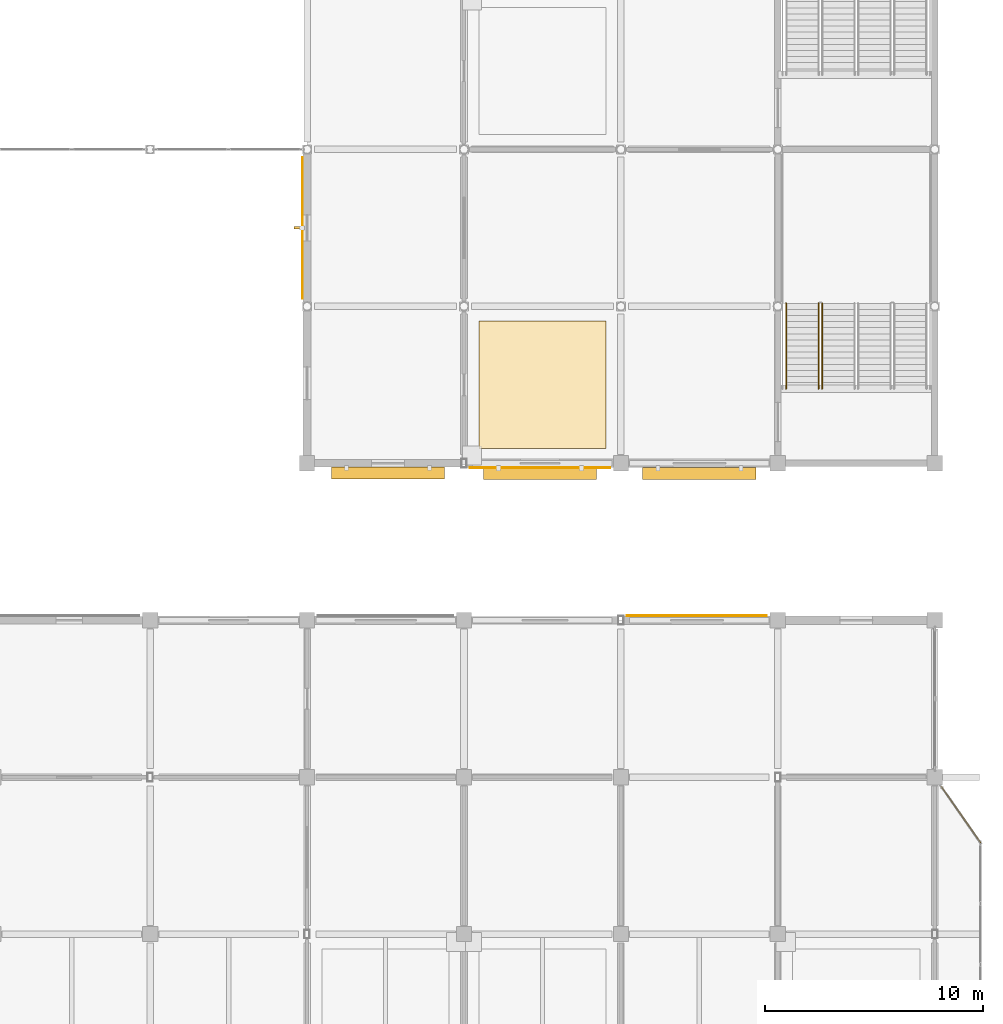
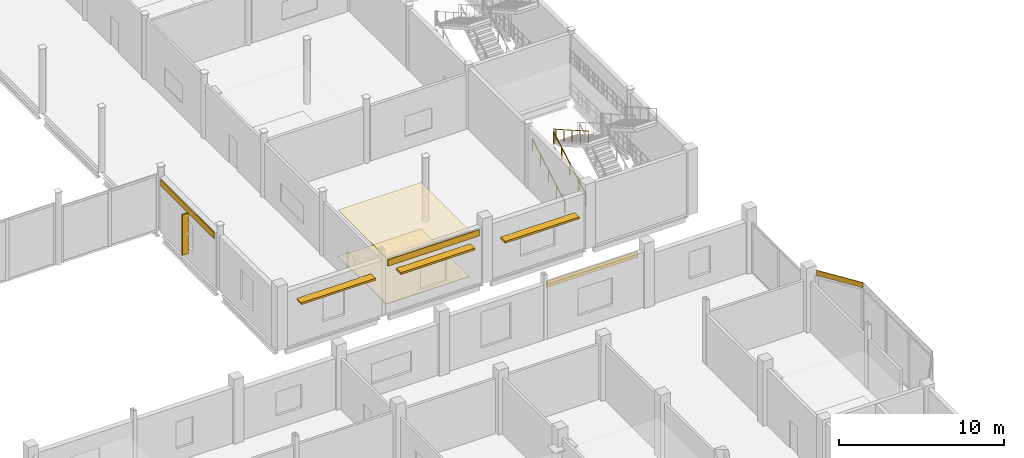
# One storey, part 117 of 120: 6 coverings, 4 shading devices, 3 railings.
"""IFC4 building model written with IfcOpenShell, lengths in metres."""

import ifcopenshell
import ifcopenshell.guid

model = None  # the IFC model being written
_history = None  # IfcOwnerHistory: only IFC2X3 demands one
_inside = {}  # id of a spatial element -> (the spatial element, [elements in it])
_under = {}  # id of a project, library or spatial element -> (it, [spatial elements below it])
_declared = {}  # id of a project -> (the project, [libraries it declares])
_typed = {}  # id of a type object -> (the type object, [elements of that type])
_made_of = {}  # id of a material, layer set ... -> (it, [elements and type objects made of it])


def new_model(schema):
    """Start an empty IFC model of exactly this schema.

    Asked for "IFC4X3", IfcOpenShell would pick the latest addendum, in which some entities
    have other attributes; the version numbers below select the first issue.
    IFC2X3 requires an IfcOwnerHistory on every rooted entity: one is made here for all.
    """
    global model, _history
    if schema == "IFC4X3":
        model = ifcopenshell.file(schema_version=(4, 3, 0, 0))
    else:
        model = ifcopenshell.file(schema=schema)
    _inside.clear()
    _under.clear()
    _declared.clear()
    _typed.clear()
    _made_of.clear()
    _history = None
    if model.schema == "IFC2X3":
        org = make("IfcOrganization", Name="unknown")
        user = make(
            "IfcPersonAndOrganization",
            ThePerson=make("IfcPerson", FamilyName="unknown"),
            TheOrganization=org,
        )
        app = make(
            "IfcApplication",
            ApplicationDeveloper=org,
            Version="unknown",
            ApplicationFullName="unknown",
            ApplicationIdentifier="unknown",
        )
        _history = make(
            "IfcOwnerHistory",
            OwningUser=user,
            OwningApplication=app,
            ChangeAction="ADDED",
            CreationDate=0,
        )
    return model


def make(cls, **values):
    """One entity of the class cls with the attributes given. An attribute that is None is left unset."""
    return model.create_entity(
        cls, **{name: value for name, value in values.items() if value is not None}
    )


def rooted(cls, **values):
    """An entity with a GlobalId (a new one), such as an element, a storey or a relation."""
    return make(cls, GlobalId=ifcopenshell.guid.new(), OwnerHistory=_history, **values)


def si_unit(unit_type, name, prefix=None):
    """IfcSIUnit, for example si_unit("LENGTHUNIT", "METRE", prefix="MILLI")."""
    return make("IfcSIUnit", UnitType=unit_type, Prefix=prefix, Name=name)


def assignment(units):
    """IfcUnitAssignment: the units of a project."""
    return None if units is None else make("IfcUnitAssignment", Units=units)


def point(xyz):
    """IfcCartesianPoint."""
    return None if xyz is None else make("IfcCartesianPoint", Coordinates=xyz)


def direction(xyz):
    """IfcDirection."""
    return None if xyz is None else make("IfcDirection", DirectionRatios=xyz)


def frame(location, z_axis=None, x_axis=None):
    """IfcAxis2Placement3D, a coordinate frame: its origin and axes. An axis left out is left unset."""
    return make(
        "IfcAxis2Placement3D",
        Location=point(location),
        Axis=direction(z_axis),
        RefDirection=direction(x_axis),
    )


def frame_2d(location, x_axis=None):
    """IfcAxis2Placement2D, a coordinate frame in the plane: its origin and x axis."""
    return make(
        "IfcAxis2Placement2D", Location=point(location), RefDirection=direction(x_axis)
    )


def origin():
    """The frame at (0, 0, 0) with its axes left unset."""
    return frame((0.0, 0.0, 0.0))


def origin_2d():
    """The frame at (0, 0) in the plane with its x axis left unset."""
    return frame_2d((0.0, 0.0))


def place(relative_to, where):
    """IfcLocalPlacement: puts the frame where relative to a parent placement (None: the world)."""
    return make(
        "IfcLocalPlacement", PlacementRelTo=relative_to, RelativePlacement=where
    )


def context(
    kind, dimensions, precision=None, world=None, true_north=None, identifier=None
):
    """IfcGeometricRepresentationContext, for example the 3D "Model" context."""
    return make(
        "IfcGeometricRepresentationContext",
        ContextIdentifier=identifier,
        ContextType=kind,
        CoordinateSpaceDimension=dimensions,
        Precision=precision,
        WorldCoordinateSystem=world,
        TrueNorth=true_north,
    )


def subcontext(parent, identifier, kind, view, scale=None):
    """IfcGeometricRepresentationSubContext, for example "Body" below "Model"."""
    return make(
        "IfcGeometricRepresentationSubContext",
        ContextIdentifier=identifier,
        ContextType=kind,
        ParentContext=parent,
        TargetScale=scale,
        TargetView=view,
    )


def project(units=None, contexts=None):
    """IfcProject with its units and contexts."""
    return rooted(
        "IfcProject",
        Name="project",
        RepresentationContexts=contexts,
        UnitsInContext=assignment(units),
    )


def spatial(cls, under=None, at=None, **own):
    """A site, building, storey or space (cls), placed at a placement, below another one or the project."""
    s = rooted(cls, ObjectPlacement=at, **own)
    if under is not None:
        _under.setdefault(under.id(), (under, []))[1].append(s)
    return s


def polyline(points):
    """IfcPolyline through the points."""
    return make("IfcPolyline", Points=[point(p) for p in points])


def profile(cls, at=None, kind="AREA", **sizes):
    """A parametric profile (cls). Its sizes go by their IFC names, for example OverallWidth=200.0."""
    return make(cls, ProfileType=kind, Position=at, **sizes)


def rectangle(**sizes):
    """IfcRectangleProfileDef."""
    return profile("IfcRectangleProfileDef", **sizes)


def circle(**sizes):
    """IfcCircleProfileDef."""
    return profile("IfcCircleProfileDef", **sizes)


def outline(outer, holes=None, kind="AREA"):
    """IfcArbitraryClosedProfileDef: a profile drawn as a closed curve; with holes, ...WithVoids."""
    if holes is None:
        return make("IfcArbitraryClosedProfileDef", ProfileType=kind, OuterCurve=outer)
    return make(
        "IfcArbitraryProfileDefWithVoids",
        ProfileType=kind,
        OuterCurve=outer,
        InnerCurves=holes,
    )


def extrude(swept, where, along, depth):
    """IfcExtrudedAreaSolid: the profile swept, set in the frame where, extruded along a direction by depth."""
    return make(
        "IfcExtrudedAreaSolid",
        SweptArea=swept,
        Position=where,
        ExtrudedDirection=direction(along),
        Depth=depth,
    )


def shape(context_of_items, identifier, shape_type, items):
    """IfcShapeRepresentation: the items that make up one representation, for example the "Body"."""
    return make(
        "IfcShapeRepresentation",
        ContextOfItems=context_of_items,
        RepresentationIdentifier=identifier,
        RepresentationType=shape_type,
        Items=items,
    )


def material(Name=None, Category=None):
    """IfcMaterial."""
    return make("IfcMaterial", Name=Name, Category=Category)


def layer(
    of_material, thickness, ventilated=None, Name=None, Category=None, Priority=None
):
    """IfcMaterialLayer: one layer of a wall or slab, of a material (None: an air gap)."""
    return make(
        "IfcMaterialLayer",
        Material=of_material,
        LayerThickness=thickness,
        IsVentilated=ventilated,
        Name=Name,
        Category=Category,
        Priority=Priority,
    )


def layer_set(layers, Name=None):
    """IfcMaterialLayerSet."""
    return make("IfcMaterialLayerSet", MaterialLayers=layers, LayerSetName=Name)


def made_of(thing, what):
    """Note that an element or type object is made of a material, layer set ...; save() writes the relation."""
    if what is not None:
        _made_of.setdefault(what.id(), (what, []))[1].append(thing)
    return thing


def type_object(cls, material=None, **own):
    """A type object (cls), such as IfcWallType, which elements share."""
    return made_of(rooted(cls, **own), material)


def element(
    cls,
    number,
    at=None,
    inside=None,
    cuts=None,
    type_object=None,
    material=None,
    context=None,
    identifier="Body",
    shape_type=None,
    held_by="IfcProductDefinitionShape",
    body=None,
    shapes=None,
    **own,
):
    """One element of the class cls, such as IfcWall. Its Tag is "e" and its number.

    at: its placement. inside: the storey or other place that contains it. cuts: it is an
    opening in that element (IfcRelVoidsElement). A single representation is given by context,
    identifier, shape_type and body (its items); several are given by shapes. held_by: the class
    of the entity that holds the representations. save() writes the other relations.
    """
    e = rooted(cls, Tag="e%d" % number, ObjectPlacement=at, **own)
    if body is not None:
        shapes = [shape(context, identifier, shape_type, body)]
    if shapes is not None:
        e.Representation = make(held_by, Representations=shapes)
    if inside is not None:
        _inside.setdefault(inside.id(), (inside, []))[1].append(e)
    if cuts is not None:
        rooted(
            "IfcRelVoidsElement", RelatingBuildingElement=cuts, RelatedOpeningElement=e
        )
    if type_object is not None:
        _typed.setdefault(type_object.id(), (type_object, []))[1].append(e)
    return made_of(e, material)


def aggregate(whole, parts):
    """IfcRelAggregates: a whole, such as a stair, and the parts it consists of."""
    return rooted("IfcRelAggregates", RelatingObject=whole, RelatedObjects=parts)


def save(model, path):
    """Write the relations noted so far, then the file.

    IfcRelAggregates (storeys below a building ...), IfcRelContainedInSpatialStructure (elements
    in a storey), IfcRelDefinesByType, IfcRelAssociatesMaterial and IfcRelDeclares: one each for
    every whole, place, type object, material and project.
    """
    for whole, parts in _under.values():
        aggregate(whole, parts)
    for where, things in _inside.values():
        rooted(
            "IfcRelContainedInSpatialStructure",
            RelatedElements=things,
            RelatingStructure=where,
        )
    for kind, things in _typed.values():
        rooted("IfcRelDefinesByType", RelatedObjects=things, RelatingType=kind)
    for what, things in _made_of.values():
        rooted("IfcRelAssociatesMaterial", RelatedObjects=things, RelatingMaterial=what)
    for by, libraries in _declared.values():
        rooted("IfcRelDeclares", RelatingContext=by, RelatedDefinitions=libraries)
    model.write(path)


model = new_model("IFC4")

# Units and contexts
model_context = context("Model", 3, precision=1e-05, world=origin(), true_north=direction((0.0, 1.0)))
body_context = subcontext(model_context, "Body", "Model", "MODEL_VIEW")
ifc_project = project(units=[si_unit("LENGTHUNIT", "METRE"), si_unit("AREAUNIT", "SQUARE_METRE"), si_unit("VOLUMEUNIT", "CUBIC_METRE"), si_unit("PLANEANGLEUNIT", "RADIAN"), si_unit("MASSUNIT", "GRAM", prefix="KILO")], contexts=[model_context])

# Site, building, storey
site_placement = place(None, origin())
site = spatial("IfcSite", under=ifc_project, at=site_placement, CompositionType="ELEMENT")
building_placement = place(site_placement, origin())
building = spatial("IfcBuilding", under=site, at=building_placement, Name="Vesperath Aquatics Centre", CompositionType="ELEMENT")
storey_placement = place(building_placement, frame((0.0, 0.0, 10.199951171875)))
storey = spatial("IfcBuildingStorey", under=building, at=storey_placement, Name="L02", CompositionType="ELEMENT", Elevation=10.199951171875)

# Coverings
ifc_material_1 = material(Name="Teal and ochre glazed ceramic majolica frieze", Category="ceramic")
ifc_layer_1 = layer(ifc_material_1, 0.0400390625)
ifc_layer_set_1 = layer_set([ifc_layer_1], Name="Teal and ochre glazed ceramic majolica frieze")
covering_type_1 = type_object("IfcCoveringType", Name="CV-CLD01", PredefinedType="CLADDING", material=ifc_layer_set_1)
covering_1_placement = place(storey_placement, frame((158.675048828125, 43.409912109375, 3.52197265625), z_axis=(0.0, 0.0, 1.0), x_axis=(1.0, 0.0, 0.0)))
element("IfcCovering", 1, at=covering_1_placement, inside=storey, type_object=covering_type_1, Name="Majolica Ceramic Frieze CLD1 L02_N_22_06", PredefinedType="CLADDING", context=body_context, shape_type="SweptSolid", body=[
    extrude(rectangle(XDim=6.425048828125, YDim=0.0400390625, at=frame_2d((3.21240234375, 0.0))), origin(), (0.0, 0.0, 1.0), 0.469970703125),
])
covering_2_placement = place(storey_placement, frame((151.47509765625, 50.18994140625, 3.52197265625), z_axis=(0.0, 0.0, 1.0), x_axis=(1.0, 0.0, 0.0)))
element("IfcCovering", 2, at=covering_2_placement, inside=storey, type_object=covering_type_1, Name="Majolica Ceramic Frieze CLD1 L02_S_21_07", PredefinedType="CLADDING", context=body_context, shape_type="SweptSolid", body=[
    extrude(rectangle(XDim=6.4248046875, YDim=0.0400390625, at=frame_2d((3.21240234375, 0.0))), origin(), (0.0, 0.0, 1.0), 0.469970703125),
])
covering_3_placement = place(storey_placement, frame((143.7900390625, 57.953125, 3.52197265625), z_axis=(0.0, 0.0, 1.0), x_axis=(0.0, 1.0, 0.0)))
element("IfcCovering", 3, at=covering_3_placement, inside=storey, type_object=covering_type_1, Name="Majolica Ceramic Frieze CLD1 L02_W_20_08", PredefinedType="CLADDING", context=body_context, shape_type="SweptSolid", body=[
    extrude(rectangle(XDim=6.49365234375, YDim=0.0400390625, at=frame_2d((3.246826171875, 0.0))), origin(), (0.0, 0.0, 1.0), 0.469970703125),
])
covering_4_placement = place(storey_placement, frame((174.89990234375, 33.0, 4.14013671875), z_axis=(0.0, 0.0, 1.0), x_axis=(-0.57341533497, 0.819264825085, 0.0)))
element("IfcCovering", 4, at=covering_4_placement, inside=storey, type_object=covering_type_1, Name="East Bow Oriel Majolica Frieze CLD1 L02-N", PredefinedType="CLADDING", context=body_context, shape_type="SweptSolid", body=[
    extrude(rectangle(XDim=3.136962890625, YDim=0.050048828125, at=frame_2d((1.568359375, 0.0))), origin(), (0.0, 0.0, 1.0), 0.3798828125),
])
ifc_material_2 = material(Name="Perforated moisture-resistant acoustic mineral-fibre ceiling", Category="gypsum")
ifc_layer_2 = layer(ifc_material_2, 0.044921875)
ifc_layer_set_2 = layer_set([ifc_layer_2], Name="Perforated moisture-resistant acoustic mineral-fibre ceiling")
covering_type_2 = type_object("IfcCoveringType", Name="CV-CLG01", PredefinedType="CEILING", material=ifc_layer_set_2)
covering_5_placement = place(storey_placement, frame((0.0, 0.0, 3.425048828125)))
element("IfcCovering", 5, at=covering_5_placement, inside=storey, type_object=covering_type_2, Name="Acoustic Suspended Ceiling CLG1 L02_CLUB_1", PredefinedType="CEILING", context=body_context, shape_type="SweptSolid", body=[
    extrude(outline(polyline([(151.8798828125, 51.080078125), (157.719970703125, 51.080078125), (157.719970703125, 56.919921875), (151.8798828125, 56.919921875), (151.8798828125, 51.080078125)])), origin(), (0.0, 0.0, 1.0), 0.044921875),
])
ifc_material_3 = material(Name="Slip-resistant vitrified ceramic and terrazzo flooring", Category="ceramic")
ifc_layer_3 = layer(ifc_material_3, 0.030029296875)
ifc_layer_set_3 = layer_set([ifc_layer_3], Name="Slip-resistant vitrified ceramic and terrazzo flooring")
covering_type_3 = type_object("IfcCoveringType", Name="CV-FLR01", PredefinedType="FLOORING", material=ifc_layer_set_3)
covering_6_placement = place(storey_placement, origin())
element("IfcCovering", 6, at=covering_6_placement, inside=storey, type_object=covering_type_3, Name="Slip-Resistant Floor Finish FLR1 L02_CLUB_1", PredefinedType="FLOORING", context=body_context, shape_type="SweptSolid", body=[
    extrude(outline(polyline([(151.8798828125, 51.080078125), (157.719970703125, 51.080078125), (157.719970703125, 56.919921875), (151.8798828125, 56.919921875), (151.8798828125, 51.080078125)])), origin(), (0.0, 0.0, 1.0), 0.030029296875),
])

# Railings
ifc_material_4 = material(Name="Brushed stainless steel tubular handrail", Category="steel")
railing_type = type_object("IfcRailingType", Name="RL-HND01", PredefinedType="HANDRAIL", material=ifc_material_4)
railing_1_placement = place(storey_placement, frame((167.469970703125, 53.820068359375, 0.16015625)))
element("IfcRailing", 7, at=railing_1_placement, inside=storey, type_object=railing_type, Name="Stair ST12A Flight 1 Handrail HR01 L02", PredefinedType="HANDRAIL", context=body_context, shape_type="SweptSolid", body=[
    extrude(circle(Radius=0.02392578125, at=origin_2d()), frame((0.0, 0.0, 0.8759765625), z_axis=(0.0, 0.868239814368, 0.496144761885), x_axis=(-1.0, 0.0, 0.0)), (0.0, 0.0, 1.0), 4.514892578125),
    extrude(circle(Radius=0.02197265625, at=origin_2d()), origin(), (0.0, 0.0, 1.0), 0.8759765625),
    extrude(circle(Radius=0.02197265625, at=origin_2d()), frame((0.0, 0.97998046875, 0.56005859375)), (0.0, 0.0, 1.0), 0.8759765625),
    extrude(circle(Radius=0.02197265625, at=origin_2d()), frame((0.0, 1.9599609375, 1.1201171875)), (0.0, 0.0, 1.0), 0.8759765625),
    extrude(circle(Radius=0.02197265625, at=origin_2d()), frame((0.0, 2.93994140625, 1.679931640625)), (0.0, 0.0, 1.0), 0.8759765625),
    extrude(circle(Radius=0.02197265625, at=origin_2d()), frame((0.0, 3.919921875, 2.239990234375)), (0.0, 0.0, 1.0), 0.8759765625),
])
railing_2_placement = place(storey_placement, frame((167.6298828125, 57.739990234375, 2.56005859375)))
element("IfcRailing", 8, at=railing_2_placement, inside=storey, type_object=railing_type, Name="Stair ST12A Flight 2 Handrail HR01 L02", PredefinedType="HANDRAIL", context=body_context, shape_type="SweptSolid", body=[
    extrude(circle(Radius=0.02392578125, at=origin_2d()), frame((0.0, 0.0, 0.8759765625), z_axis=(0.0, -0.868239814368, 0.496144761885), x_axis=(1.0, 0.0, 0.0)), (0.0, 0.0, 1.0), 4.514892578125),
    extrude(circle(Radius=0.02197265625, at=origin_2d()), origin(), (0.0, 0.0, 1.0), 0.8759765625),
    extrude(circle(Radius=0.02197265625, at=origin_2d()), frame((0.0, -0.97998046875, 0.56005859375)), (0.0, 0.0, 1.0), 0.8759765625),
    extrude(circle(Radius=0.02197265625, at=origin_2d()), frame((0.0, -1.9599609375, 1.1201171875)), (0.0, 0.0, 1.0), 0.8759765625),
    extrude(circle(Radius=0.02197265625, at=origin_2d()), frame((0.0, -2.93994140625, 1.679931640625)), (0.0, 0.0, 1.0), 0.8759765625),
    extrude(circle(Radius=0.02197265625, at=origin_2d()), frame((0.0, -3.919921875, 2.239990234375)), (0.0, 0.0, 1.0), 0.8759765625),
])
railing_3_placement = place(storey_placement, frame((165.97998046875, 53.820068359375, 0.16015625)))
element("IfcRailing", 9, at=railing_3_placement, inside=storey, type_object=railing_type, Name="Stair ST12A Flight 1 Handrail HR01 L02", PredefinedType="HANDRAIL", context=body_context, shape_type="SweptSolid", body=[
    extrude(circle(Radius=0.02392578125, at=origin_2d()), frame((0.0, 0.0, 0.8759765625), z_axis=(0.0, 0.868239814368, 0.496144761885), x_axis=(-1.0, 0.0, 0.0)), (0.0, 0.0, 1.0), 4.514892578125),
    extrude(circle(Radius=0.02197265625, at=origin_2d()), origin(), (0.0, 0.0, 1.0), 0.8759765625),
    extrude(circle(Radius=0.02197265625, at=origin_2d()), frame((0.0, 0.97998046875, 0.56005859375)), (0.0, 0.0, 1.0), 0.8759765625),
    extrude(circle(Radius=0.02197265625, at=origin_2d()), frame((0.0, 1.9599609375, 1.1201171875)), (0.0, 0.0, 1.0), 0.8759765625),
    extrude(circle(Radius=0.02197265625, at=origin_2d()), frame((0.0, 2.93994140625, 1.679931640625)), (0.0, 0.0, 1.0), 0.8759765625),
    extrude(circle(Radius=0.02197265625, at=origin_2d()), frame((0.0, 3.919921875, 2.239990234375)), (0.0, 0.0, 1.0), 0.8759765625),
])

# Shading devices
ifc_material_5 = material(Name="Perforated bronze botanical solar fin", Category="aluminium")
shading_device_type_1 = type_object("IfcShadingDeviceType", Name="SH-FIN01", PredefinedType="USERDEFINED", material=ifc_material_5)
shading_device_placement = place(storey_placement, frame((143.60009765625, 61.199951171875, 0.5), z_axis=(0.0, 0.0, 1.0), x_axis=(1.0, 0.0, 0.0)))
element("IfcShadingDevice", 10, at=shading_device_placement, inside=storey, type_object=shading_device_type_1, Name="Botanical Bronze Solar Fin FN01 L02_W_20_08", ObjectType="FIN", PredefinedType="USERDEFINED", context=body_context, shape_type="SweptSolid", body=[
    extrude(rectangle(XDim=0.419921875, YDim=0.1201171875, at=origin_2d()), origin(), (0.0, 0.0, 1.0), 3.0),
])
ifc_material_6 = material(Name="Anodised bronze aluminium solar brise-soleil", Category="aluminium")
shading_device_type_2 = type_object("IfcShadingDeviceType", Name="SH-LVR01", PredefinedType="JALOUSIE", material=ifc_material_6)
for number, where, z_axis, x_axis, name in (
    (11, (147.71240234375, 49.945068359375, 3.2001953125), (0.0, 0.0, 1.0), (1.0, 0.0, 0.0), "Bronze Solar Brise-Soleil LV01 L02_S_20_07"),
    (12, (154.6875, 49.93505859375, 3.0), (0.0, 0.0, 1.0), (1.0, 0.0, 0.0), "Bronze Solar Brise-Soleil LV01 L02_S_21_07"),
    (13, (162.0, 49.93505859375, 2.75), (0.0, 0.0, 1.0), (1.0, 0.0, 0.0), "Bronze Solar Brise-Soleil LV01 L02_S_22_07"),
):
    element("IfcShadingDevice", number, at=place(storey_placement, frame(where, z_axis=z_axis, x_axis=x_axis)), inside=storey, type_object=shading_device_type_2, Name=name, PredefinedType="JALOUSIE", context=body_context, shape_type="SweptSolid", body=[
        extrude(rectangle(XDim=5.199951171875, YDim=0.550048828125, at=origin_2d()), origin(), (0.0, 0.0, 1.0), 0.139892578125),
    ])

save(model, "model.ifc")
